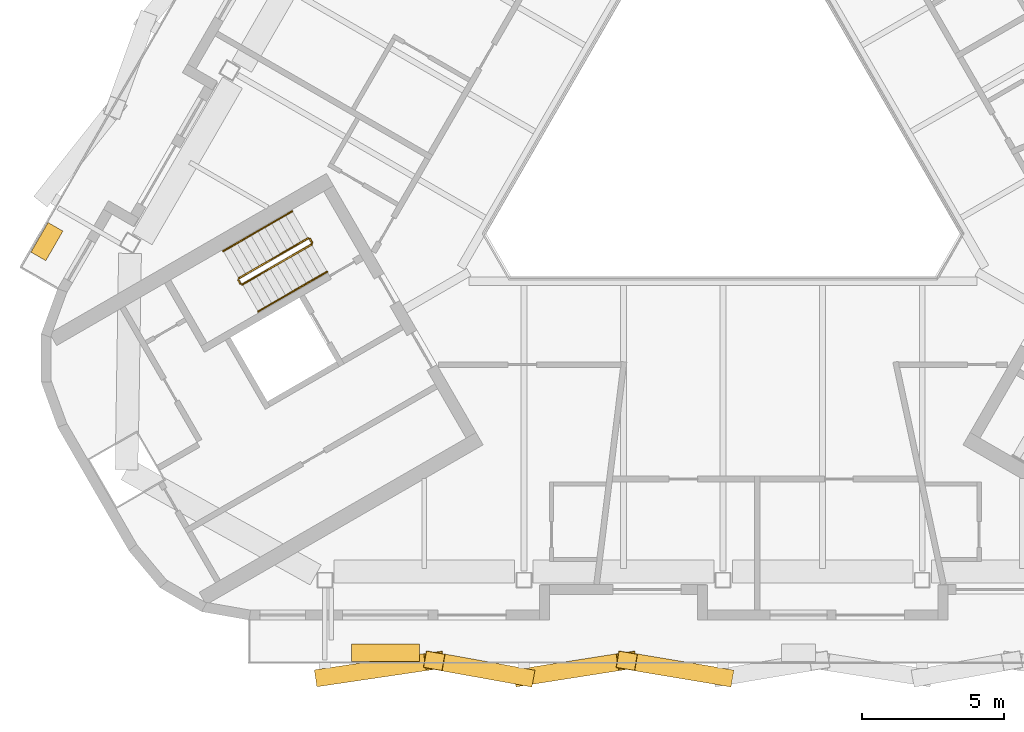
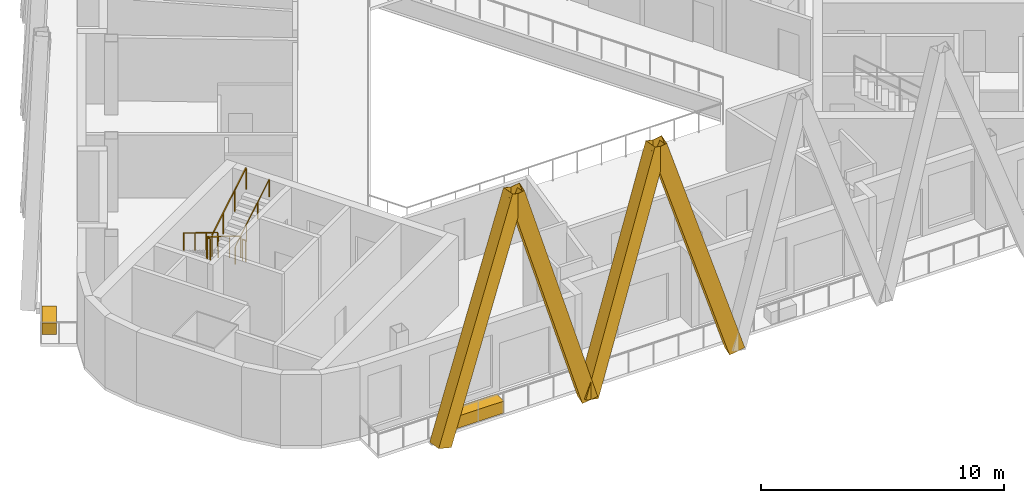
# One storey, part 8 of 12: 6 railings, 4 shading devices, 2 coverings.
"""IFC4 building model written with IfcOpenShell, lengths in metres."""

from ifc_helpers import new_model, si_unit, direction, frame, origin, origin_2d, place, context, subcontext, project, spatial, rectangle, hollow_rectangle, circle, extrude, material, material_profile, profile_set, type_object, element, save


model = new_model("IFC4")

# Units and contexts
model_context = context("Model", 3, precision=1e-05, world=origin(), true_north=direction((0.0, 1.0)))
body_context = subcontext(model_context, "Body", "Model", "MODEL_VIEW")
ifc_project = project(units=[si_unit("LENGTHUNIT", "METRE"), si_unit("AREAUNIT", "SQUARE_METRE"), si_unit("VOLUMEUNIT", "CUBIC_METRE"), si_unit("PLANEANGLEUNIT", "RADIAN"), si_unit("MASSUNIT", "GRAM", prefix="KILO")], contexts=[model_context])

# Site, building, storey
site_placement = place(None, origin())
site = spatial("IfcSite", under=ifc_project, at=site_placement, CompositionType="ELEMENT")
building_placement = place(site_placement, origin())
building = spatial("IfcBuilding", under=site, at=building_placement, Name="Apuvela Tower Hotel", CompositionType="ELEMENT")
storey_placement = place(building_placement, frame((0.0, 0.0, 291.10009765625)))
storey = spatial("IfcBuildingStorey", under=building, at=storey_placement, Name="L72", CompositionType="ELEMENT", Elevation=291.10009765625)

# Railings
ifc_material_1 = material(Name="Steel S275 balustrade", Category="steel")
railing_type_1 = type_object("IfcRailingType", Name="COR-GUARD-1100", PredefinedType="GUARDRAIL", material=ifc_material_1)
railing_1_placement = place(storey_placement, frame((-14.569091796875, -3.9658203125, 0.16796875)))
element("IfcRailing", 1, at=railing_1_placement, inside=storey, type_object=railing_type_1, Name="L72 ST2 stair guard 1", PredefinedType="GUARDRAIL", context=body_context, shape_type="SweptSolid", body=[
    extrude(rectangle(XDim=0.048095703125, YDim=0.048095703125, at=origin_2d()), frame((0.0, 0.0, 1.076171875), z_axis=(-0.742390482028, -0.42860119049, 0.514934356695), x_axis=(0.49998411664, -0.866034573852, 0.0)), (0.0, 0.0, 1.0), 3.26611328125),
    extrude(rectangle(XDim=0.0419921875, YDim=0.0419921875, at=origin_2d()), origin(), (0.0, 0.0, 1.0), 1.052001953125),
    extrude(rectangle(XDim=0.0419921875, YDim=0.0419921875, at=origin_2d()), frame((-0.808349609375, -0.466552734375, 0.560546875)), (0.0, 0.0, 1.0), 1.052001953125),
    extrude(rectangle(XDim=0.0419921875, YDim=0.0419921875, at=origin_2d()), frame((-1.616455078125, -0.933349609375, 1.121337890625)), (0.0, 0.0, 1.0), 1.052001953125),
    extrude(rectangle(XDim=0.0419921875, YDim=0.0419921875, at=origin_2d()), frame((-2.4248046875, -1.39990234375, 1.681884765625)), (0.0, 0.0, 1.0), 1.052001953125),
])
railing_2_placement = place(storey_placement, frame((-17.01220703125, -5.43408203125, 1.849853515625)))
element("IfcRailing", 2, at=railing_2_placement, inside=storey, type_object=railing_type_1, Name="L72 ST2 stair guard 2", PredefinedType="GUARDRAIL", context=body_context, shape_type="SweptSolid", body=[
    extrude(rectangle(XDim=0.048095703125, YDim=0.048095703125, at=origin_2d()), frame((0.0, 0.0, 1.076171875), z_axis=(0.499816412211, -0.866131372301, 0.0), x_axis=(0.866131372301, 0.499816412211, 0.0)), (0.0, 0.0, 1.0), 0.14990234375),
    extrude(rectangle(XDim=0.0419921875, YDim=0.0419921875, at=origin_2d()), origin(), (0.0, 0.0, 1.0), 1.052001953125),
    extrude(rectangle(XDim=0.0419921875, YDim=0.0419921875, at=origin_2d()), frame((0.074951171875, -0.1298828125, 0.0)), (0.0, 0.0, 1.0), 1.052001953125),
])
railing_3_placement = place(storey_placement, frame((-16.868896484375, -5.582275390625, 2.01806640625)))
element("IfcRailing", 3, at=railing_3_placement, inside=storey, type_object=railing_type_1, Name="L72 ST2 stair guard 3", PredefinedType="GUARDRAIL", context=body_context, shape_type="SweptSolid", body=[
    extrude(rectangle(XDim=0.048095703125, YDim=0.048095703125, at=origin_2d()), frame((0.0, 0.0, 1.076171875), z_axis=(0.742390482028, 0.42860119049, 0.514934356695), x_axis=(-0.49998411664, 0.866034573852, 0.0)), (0.0, 0.0, 1.0), 3.26611328125),
    extrude(rectangle(XDim=0.0419921875, YDim=0.0419921875, at=origin_2d()), origin(), (0.0, 0.0, 1.0), 1.052001953125),
    extrude(rectangle(XDim=0.0419921875, YDim=0.0419921875, at=origin_2d()), frame((0.808349609375, 0.466552734375, 0.560546875)), (0.0, 0.0, 1.0), 1.052001953125),
    extrude(rectangle(XDim=0.0419921875, YDim=0.0419921875, at=origin_2d()), frame((1.616455078125, 0.933349609375, 1.121337890625)), (0.0, 0.0, 1.0), 1.052001953125),
    extrude(rectangle(XDim=0.0419921875, YDim=0.0419921875, at=origin_2d()), frame((2.4248046875, 1.39990234375, 1.681884765625)), (0.0, 0.0, 1.0), 1.052001953125),
])
railing_4_placement = place(storey_placement, frame((-14.500732421875, -3.984130859375, 0.0)))
element("IfcRailing", 4, at=railing_4_placement, inside=storey, type_object=railing_type_1, Name="L72 ST2 stair guard 4", PredefinedType="GUARDRAIL", context=body_context, shape_type="SweptSolid", body=[
    extrude(rectangle(XDim=0.048095703125, YDim=0.048095703125, at=origin_2d()), frame((0.0, 0.0, 1.076171875), z_axis=(0.499816412211, -0.866131372301, 0.0), x_axis=(0.866131372301, 0.499816412211, 0.0)), (0.0, 0.0, 1.0), 0.14990234375),
    extrude(rectangle(XDim=0.0419921875, YDim=0.0419921875, at=origin_2d()), origin(), (0.0, 0.0, 1.0), 1.052001953125),
    extrude(rectangle(XDim=0.0419921875, YDim=0.0419921875, at=origin_2d()), frame((0.074951171875, -0.1298828125, 0.0)), (0.0, 0.0, 1.0), 1.052001953125),
])
ifc_material_2 = material(Name="Stainless steel 316 handrail", Category="steel")
railing_type_2 = type_object("IfcRailingType", Name="COR-HANDRAIL-900", PredefinedType="HANDRAIL", material=ifc_material_2)
railing_5_placement = place(storey_placement, frame((-15.118896484375, -3.01318359375, 0.16796875)))
element("IfcRailing", 5, at=railing_5_placement, inside=storey, type_object=railing_type_2, Name="L72 ST2 stair handrail 1", PredefinedType="HANDRAIL", context=body_context, shape_type="SweptSolid", body=[
    extrude(circle(Radius=0.02392578125, at=origin_2d()), frame((0.0, 0.0, 0.8759765625), z_axis=(-0.742424030051, -0.428577407461, 0.514905783049), x_axis=(0.49994636267, -0.866056369097, 0.0)), (0.0, 0.0, 1.0), 3.266357421875),
    extrude(rectangle(XDim=0.0419921875, YDim=0.0419921875, at=origin_2d()), origin(), (0.0, 0.0, 1.0), 0.851806640625),
    extrude(rectangle(XDim=0.0419921875, YDim=0.0419921875, at=origin_2d()), frame((-0.808349609375, -0.466552734375, 0.560546875)), (0.0, 0.0, 1.0), 0.851806640625),
    extrude(rectangle(XDim=0.0419921875, YDim=0.0419921875, at=origin_2d()), frame((-1.61669921875, -0.933349609375, 1.121337890625)), (0.0, 0.0, 1.0), 0.851806640625),
    extrude(rectangle(XDim=0.0419921875, YDim=0.0419921875, at=origin_2d()), frame((-2.425048828125, -1.39990234375, 1.681884765625)), (0.0, 0.0, 1.0), 0.851806640625),
])
railing_6_placement = place(storey_placement, frame((-16.31884765625, -6.534912109375, 2.01806640625)))
element("IfcRailing", 6, at=railing_6_placement, inside=storey, type_object=railing_type_2, Name="L72 ST2 stair handrail 2", PredefinedType="HANDRAIL", context=body_context, shape_type="SweptSolid", body=[
    extrude(circle(Radius=0.02392578125, at=origin_2d()), frame((0.0, 0.0, 0.8759765625), z_axis=(0.742390482028, 0.42860119049, 0.514934356695), x_axis=(-0.49998411664, 0.866034573852, 0.0)), (0.0, 0.0, 1.0), 3.26611328125),
    extrude(rectangle(XDim=0.0419921875, YDim=0.0419921875, at=origin_2d()), origin(), (0.0, 0.0, 1.0), 0.851806640625),
    extrude(rectangle(XDim=0.0419921875, YDim=0.0419921875, at=origin_2d()), frame((0.808349609375, 0.466552734375, 0.560546875)), (0.0, 0.0, 1.0), 0.851806640625),
    extrude(rectangle(XDim=0.0419921875, YDim=0.0419921875, at=origin_2d()), frame((1.616455078125, 0.933349609375, 1.121337890625)), (0.0, 0.0, 1.0), 0.851806640625),
    extrude(rectangle(XDim=0.0419921875, YDim=0.0419921875, at=origin_2d()), frame((2.4248046875, 1.39990234375, 1.681884765625)), (0.0, 0.0, 1.0), 0.851806640625),
])

# Shading devices
ifc_material_3 = material(Name="Aluminium 6063-T6, black anodised", Category="aluminium")
ifc_material_profile = material_profile(ifc_material_3, hollow_rectangle(XDim=0.60009765625, YDim=0.699951171875, WallThickness=0.011962890625, at=origin_2d()), Name="AL BOX 700x600x12")
ifc_profile_set = profile_set([ifc_material_profile], Name="Aluminium 6063-T6, black anodised")
shading_device_type = type_object("IfcShadingDeviceType", Name="ENV-FIN-700x600", PredefinedType="USERDEFINED", material=ifc_profile_set)
shading_device_1_placement = place(storey_placement, frame((-13.97412109375, -19.361572265625, -0.10009765625), z_axis=(0.326243724349, 0.048213971992, 0.944055318945), x_axis=(-0.146197249059, 0.98925545961, 0.0)))
element("IfcShadingDevice", 7, at=shading_device_1_placement, inside=storey, type_object=shading_device_type, Name="Lattice fin S625", ObjectType="FIN", PredefinedType="USERDEFINED", context=body_context, shape_type="SweptSolid", body=[
    extrude(hollow_rectangle(XDim=0.60009765625, YDim=0.699951171875, WallThickness=0.011962890625, at=origin_2d()), origin(), (0.0, 0.0, 1.0), 11.7578125),
])
shading_device_2_placement = place(storey_placement, frame((-6.987060546875, -19.361572265625, -0.10009765625), z_axis=(-0.272762545956, 0.049070630798, 0.960829155842), x_axis=(-0.177059933756, -0.984200071052, 0.0)))
element("IfcShadingDevice", 8, at=shading_device_2_placement, inside=storey, type_object=shading_device_type, Name="Lattice fin S626", ObjectType="FIN", PredefinedType="USERDEFINED", context=body_context, shape_type="SweptSolid", body=[
    extrude(hollow_rectangle(XDim=0.60009765625, YDim=0.699951171875, WallThickness=0.011962890625, at=origin_2d()), origin(), (0.0, 0.0, 1.0), 11.552734375),
])
shading_device_3_placement = place(storey_placement, frame((-6.987060546875, -19.361572265625, -0.10009765625), z_axis=(0.308732532197, 0.048513022925, 0.949910895911), x_axis=(-0.155231309853, 0.987878150604, 0.0)))
element("IfcShadingDevice", 9, at=shading_device_3_placement, inside=storey, type_object=shading_device_type, Name="Lattice fin S627", ObjectType="FIN", PredefinedType="USERDEFINED", context=body_context, shape_type="SweptSolid", body=[
    extrude(hollow_rectangle(XDim=0.60009765625, YDim=0.699951171875, WallThickness=0.011962890625, at=origin_2d()), origin(), (0.0, 0.0, 1.0), 11.685302734375),
])
shading_device_4_placement = place(storey_placement, frame((0.0, -19.361572265625, -0.10009765625), z_axis=(-0.290901704508, 0.048798855503, 0.955507650423), x_axis=(-0.165438737171, -0.986220068871, 0.0)))
element("IfcShadingDevice", 10, at=shading_device_4_placement, inside=storey, type_object=shading_device_type, Name="Lattice fin S628", ObjectType="FIN", PredefinedType="USERDEFINED", context=body_context, shape_type="SweptSolid", body=[
    extrude(hollow_rectangle(XDim=0.60009765625, YDim=0.699951171875, WallThickness=0.011962890625, at=origin_2d()), origin(), (0.0, 0.0, 1.0), 11.616943359375),
])

# Coverings
ifc_material_4 = material(Name="Planting substrate and soil, planted")
covering_type_1 = type_object("IfcCoveringType", Name="ENV-PLANTER-1200x600", PredefinedType="USERDEFINED", material=ifc_material_4)
covering_1_placement = place(storey_placement, frame((-23.731201171875, -4.080078125, -0.000244140625), z_axis=(0.0, 0.0, 1.0), x_axis=(-0.5, -0.866025403784, 0.0)))
element("IfcCovering", 11, at=covering_1_placement, inside=storey, type_object=covering_type_1, Name="Planter NW6", ObjectType="PLANTER", PredefinedType="USERDEFINED", context=body_context, shape_type="SweptSolid", body=[
    extrude(rectangle(XDim=1.199951171875, YDim=0.60009765625, at=origin_2d()), origin(), (0.0, 0.0, 1.0), 0.60009765625),
])
covering_type_2 = type_object("IfcCoveringType", Name="ENV-PLANTER-2400x600", PredefinedType="USERDEFINED", material=ifc_material_4)
covering_2_placement = place(storey_placement, frame((-11.84912109375, -18.51171875, -0.000244140625), z_axis=(0.0, 0.0, 1.0), x_axis=(1.0, 0.0, 0.0)))
element("IfcCovering", 12, at=covering_2_placement, inside=storey, type_object=covering_type_2, Name="Planter S1", ObjectType="PLANTER", PredefinedType="USERDEFINED", context=body_context, shape_type="SweptSolid", body=[
    extrude(rectangle(XDim=2.39990234375, YDim=0.60009765625, at=origin_2d()), origin(), (0.0, 0.0, 1.0), 0.60009765625),
])

save(model, "model.ifc")
